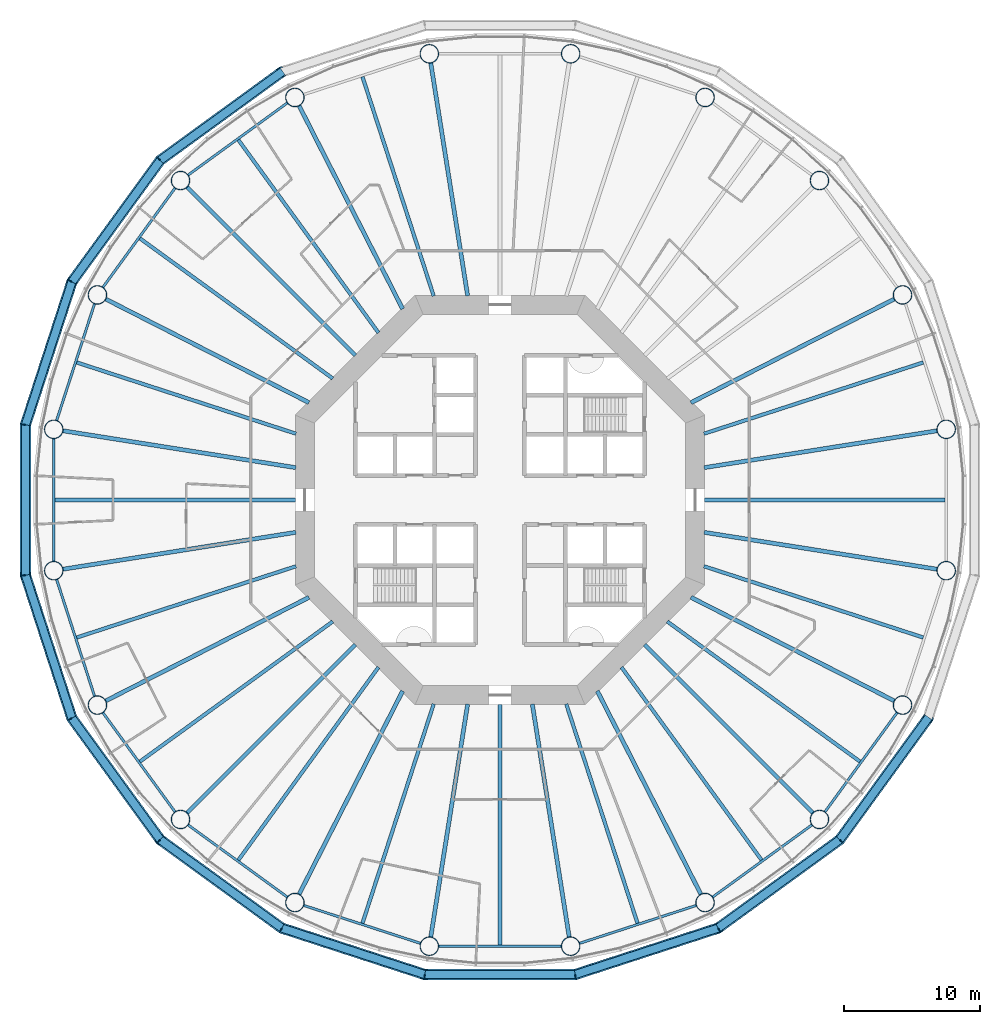
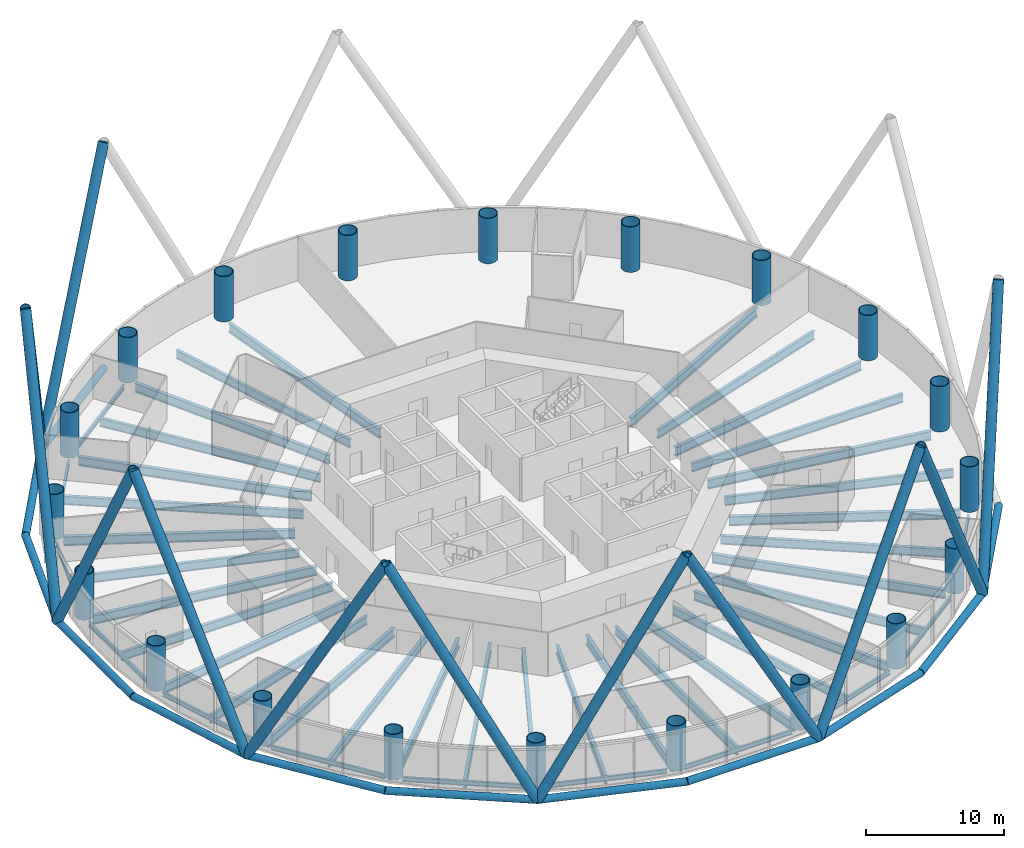
# One storey, part 1 of 13: 45 beams, 24 members, 20 columns.
"""IFC4 building model written with IfcOpenShell, lengths in metres."""

from ifc_helpers import new_model, si_unit, direction, frame, origin, origin_2d, place, context, subcontext, project, spatial, circle, hollow_circle, i_section, extrude, material, material_profile, profile_set, type_object, element, save


model = new_model("IFC4")

# Units and contexts
model_context = context("Model", 3, precision=1e-05, world=origin(), true_north=direction((0.0, 1.0)))
body_context = subcontext(model_context, "Body", "Model", "MODEL_VIEW")
ifc_project = project(units=[si_unit("LENGTHUNIT", "METRE"), si_unit("AREAUNIT", "SQUARE_METRE"), si_unit("VOLUMEUNIT", "CUBIC_METRE"), si_unit("PLANEANGLEUNIT", "RADIAN"), si_unit("MASSUNIT", "GRAM", prefix="KILO")], contexts=[model_context])

# Site, building, storey
site_placement = place(None, origin())
site = spatial("IfcSite", under=ifc_project, at=site_placement, CompositionType="ELEMENT")
building_placement = place(site_placement, origin())
building = spatial("IfcBuilding", under=site, at=building_placement, Name="Entoto Ring Tower", CompositionType="ELEMENT")
storey_placement = place(building_placement, frame((0.0, 0.0, 54.0)))
storey = spatial("IfcBuildingStorey", under=building, at=storey_placement, Name="L11", CompositionType="ELEMENT", Elevation=54.0)

# Columns
ifc_material_1 = material(Name="Steel S355", Category="steel")
ifc_material_profile_1 = material_profile(ifc_material_1, hollow_circle(Radius=0.699951171875, WallThickness=0.06005859375, at=origin_2d()), Name="CHS 1400 x 60")
ifc_material_2 = material(Name="Concrete C60/75", Category="concrete")
ifc_material_profile_2 = material_profile(ifc_material_2, circle(Radius=0.639892578125, at=origin_2d()), Name="Concrete C60/75 infill")
ifc_profile_set_1 = profile_set([ifc_material_profile_1, ifc_material_profile_2], Name="Steel S355")
column_type = type_object("IfcColumnType", Name="Ring column 1400 x 60 concrete-filled tube", PredefinedType="COLUMN", material=ifc_profile_set_1)
for number, where, z_axis, x_axis, name in (
    (1, (122.6923828125, 85.177978515625, 0.0), (0.0, 0.0, 1.0), (1.0, 0.0, 0.0), "RC1 R01"),
    (2, (119.492431640625, 95.027099609375, 0.0), (0.0, 0.0, 1.0), (1.0, 0.0, 0.0), "RC1 R02"),
    (3, (113.4052734375, 103.4052734375, 0.0), (0.0, 0.0, 1.0), (1.0, 0.0, 0.0), "RC1 R03"),
    (4, (105.027099609375, 109.492431640625, 0.0), (0.0, 0.0, 1.0), (1.0, 0.0, 0.0), "RC1 R04"),
    (5, (95.177978515625, 112.6923828125, 0.0), (0.0, 0.0, 1.0), (1.0, 0.0, 0.0), "RC1 R05"),
    (6, (84.822021484375, 112.6923828125, 0.0), (0.0, 0.0, 1.0), (1.0, 0.0, 0.0), "RC1 R06"),
    (7, (74.972900390625, 109.492431640625, 0.0), (0.0, 0.0, 1.0), (1.0, 0.0, 0.0), "RC1 R07"),
    (8, (66.5947265625, 103.4052734375, 0.0), (0.0, 0.0, 1.0), (1.0, 0.0, 0.0), "RC1 R08"),
    (9, (60.507568359375, 95.027099609375, 0.0), (0.0, 0.0, 1.0), (1.0, 0.0, 0.0), "RC1 R09"),
    (10, (57.3076171875, 85.177978515625, 0.0), (0.0, 0.0, 1.0), (1.0, 0.0, 0.0), "RC1 R10"),
    (11, (57.3076171875, 74.822021484375, 0.0), (0.0, 0.0, 1.0), (1.0, 0.0, 0.0), "RC1 R11"),
    (12, (60.507568359375, 64.972900390625, 0.0), (0.0, 0.0, 1.0), (1.0, 0.0, 0.0), "RC1 R12"),
    (13, (66.5947265625, 56.5947265625, 0.0), (0.0, 0.0, 1.0), (1.0, 0.0, 0.0), "RC1 R13"),
    (14, (74.972900390625, 50.507568359375, 0.0), (0.0, 0.0, 1.0), (1.0, 0.0, 0.0), "RC1 R14"),
    (15, (84.822021484375, 47.3076171875, 0.0), (0.0, 0.0, 1.0), (1.0, 0.0, 0.0), "RC1 R15"),
    (16, (95.177978515625, 47.3076171875, 0.0), (0.0, 0.0, 1.0), (1.0, 0.0, 0.0), "RC1 R16"),
    (17, (105.027099609375, 50.507568359375, 0.0), (0.0, 0.0, 1.0), (1.0, 0.0, 0.0), "RC1 R17"),
    (18, (113.4052734375, 56.5947265625, 0.0), (0.0, 0.0, 1.0), (1.0, 0.0, 0.0), "RC1 R18"),
    (19, (119.492431640625, 64.972900390625, 0.0), (0.0, 0.0, 1.0), (1.0, 0.0, 0.0), "RC1 R19"),
    (20, (122.6923828125, 74.822021484375, 0.0), (0.0, 0.0, 1.0), (1.0, 0.0, 0.0), "RC1 R20"),
):
    element("IfcColumn", number, at=place(storey_placement, frame(where, z_axis=z_axis, x_axis=x_axis)), inside=storey, type_object=column_type, Name=name, PredefinedType="COLUMN", context=body_context, shape_type="SweptSolid", body=[
        extrude(hollow_circle(Radius=0.699951171875, WallThickness=0.06005859375, at=origin_2d()), origin(), (0.0, 0.0, 1.0), 4.0),
    ])

# Members
ifc_material_3 = material(Name="Steel S355", Category="steel")
ifc_material_profile_3 = material_profile(ifc_material_3, hollow_circle(Radius=0.39990234375, WallThickness=0.0400390625, at=origin_2d()), Name="CHS 800 x 40")
ifc_material_4 = material(Name="Concrete C60/75", Category="concrete")
ifc_material_profile_4 = material_profile(ifc_material_4, circle(Radius=0.360107421875, at=origin_2d()), Name="Concrete C60/75 infill")
ifc_profile_set_2 = profile_set([ifc_material_profile_3, ifc_material_profile_4], Name="Steel S355")
member_type_1 = type_object("IfcMemberType", Name="Diagrid diagonal 800 x 40 concrete-filled tube", PredefinedType="BRACE", material=ifc_profile_set_2)
for number, where, z_axis, x_axis, name in (
    (21, (65.10986328125, 104.89013671875, 0.0), (0.390232194068, 0.283526240634, 0.875974717435), (-0.587793333731, 0.809011122805, 0.0), "DG1 module 4 07"),
    (22, (65.10986328125, 104.89013671875, 0.0), (-0.283526240634, -0.390232194068, 0.875974717435), (0.809011122805, -0.587793333731, 0.0), "DG1 module 4 08"),
):
    element("IfcMember", number, at=place(storey_placement, frame(where, z_axis=z_axis, x_axis=x_axis)), inside=storey, type_object=member_type_1, Name=name, PredefinedType="BRACE", context=body_context, shape_type="SweptSolid", body=[
        extrude(hollow_circle(Radius=0.39990234375, WallThickness=0.0400390625, at=origin_2d()), origin(), (0.0, 0.0, 1.0), 22.831787109375),
    ])
member_1_placement = place(storey_placement, frame((55.2333984375, 85.506591796875, 0.0), z_axis=(0.149050994589, 0.458744294344, 0.875978009666), x_axis=(-0.951058991317, 0.309009376937, 0.0)))
element("IfcMember", 23, at=member_1_placement, inside=storey, type_object=member_type_1, Name="DG1 module 4 09", PredefinedType="BRACE", context=body_context, shape_type="SweptSolid", body=[
    extrude(hollow_circle(Radius=0.39990234375, WallThickness=0.0400390625, at=origin_2d()), origin(), (0.0, 0.0, 1.0), 22.83154296875),
])
member_2_placement = place(storey_placement, frame((55.2333984375, 85.506591796875, 0.0), z_axis=(0.0, -0.482362007039, 0.875971971107), x_axis=(1.0, 0.0, 0.0)))
element("IfcMember", 24, at=member_2_placement, inside=storey, type_object=member_type_1, Name="DG1 module 4 10", PredefinedType="BRACE", context=body_context, shape_type="SweptSolid", body=[
    extrude(hollow_circle(Radius=0.39990234375, WallThickness=0.0400390625, at=origin_2d()), origin(), (0.0, 0.0, 1.0), 22.831787109375),
])
member_3_placement = place(storey_placement, frame((58.636474609375, 64.01953125, 0.0), z_axis=(-0.149050994589, 0.458744294344, 0.875978009666), x_axis=(-0.951058991317, -0.309009376937, 0.0)))
element("IfcMember", 25, at=member_3_placement, inside=storey, type_object=member_type_1, Name="DG1 module 4 11", PredefinedType="BRACE", context=body_context, shape_type="SweptSolid", body=[
    extrude(hollow_circle(Radius=0.39990234375, WallThickness=0.0400390625, at=origin_2d()), origin(), (0.0, 0.0, 1.0), 22.83154296875),
])
for number, where, z_axis, x_axis, name in (
    (26, (58.636474609375, 64.01953125, 0.0), (0.283526240634, -0.390232194068, 0.875974717435), (0.809011122805, 0.587793333731, 0.0), "DG1 module 4 12"),
    (27, (74.01953125, 48.636474609375, 0.0), (-0.390232194068, 0.283526240634, 0.875974717435), (-0.587793333731, -0.809011122805, 0.0), "DG1 module 4 13"),
):
    element("IfcMember", number, at=place(storey_placement, frame(where, z_axis=z_axis, x_axis=x_axis)), inside=storey, type_object=member_type_1, Name=name, PredefinedType="BRACE", context=body_context, shape_type="SweptSolid", body=[
        extrude(hollow_circle(Radius=0.39990234375, WallThickness=0.0400390625, at=origin_2d()), origin(), (0.0, 0.0, 1.0), 22.831787109375),
    ])
member_4_placement = place(storey_placement, frame((74.01953125, 48.636474609375, 0.0), z_axis=(0.458744294344, -0.149050994589, 0.875978009666), x_axis=(0.309009376937, 0.951058991317, 0.0)))
element("IfcMember", 28, at=member_4_placement, inside=storey, type_object=member_type_1, Name="DG1 module 4 14", PredefinedType="BRACE", context=body_context, shape_type="SweptSolid", body=[
    extrude(hollow_circle(Radius=0.39990234375, WallThickness=0.0400390625, at=origin_2d()), origin(), (0.0, 0.0, 1.0), 22.83154296875),
])
member_5_placement = place(storey_placement, frame((95.506591796875, 45.2333984375, 0.0), z_axis=(-0.482362007039, 0.0, 0.875971971107), x_axis=(0.0, -1.0, 0.0)))
element("IfcMember", 29, at=member_5_placement, inside=storey, type_object=member_type_1, Name="DG1 module 4 15", PredefinedType="BRACE", context=body_context, shape_type="SweptSolid", body=[
    extrude(hollow_circle(Radius=0.39990234375, WallThickness=0.0400390625, at=origin_2d()), origin(), (0.0, 0.0, 1.0), 22.831787109375),
])
member_6_placement = place(storey_placement, frame((95.506591796875, 45.2333984375, 0.0), z_axis=(0.458744294344, 0.149050994589, 0.875978009666), x_axis=(-0.309009376937, 0.951058991317, 0.0)))
element("IfcMember", 30, at=member_6_placement, inside=storey, type_object=member_type_1, Name="DG1 module 4 16", PredefinedType="BRACE", context=body_context, shape_type="SweptSolid", body=[
    extrude(hollow_circle(Radius=0.39990234375, WallThickness=0.0400390625, at=origin_2d()), origin(), (0.0, 0.0, 1.0), 22.83154296875),
])
for number, where, z_axis, x_axis, name in (
    (31, (114.89013671875, 55.10986328125, 0.0), (-0.390232194068, -0.283526240634, 0.875974717435), (0.587793333731, -0.809011122805, 0.0), "DG1 module 4 17"),
    (32, (114.89013671875, 55.10986328125, 0.0), (0.283526240634, 0.390232194068, 0.875974717435), (-0.809011122805, 0.587793333731, 0.0), "DG1 module 4 18"),
):
    element("IfcMember", number, at=place(storey_placement, frame(where, z_axis=z_axis, x_axis=x_axis)), inside=storey, type_object=member_type_1, Name=name, PredefinedType="BRACE", context=body_context, shape_type="SweptSolid", body=[
        extrude(hollow_circle(Radius=0.39990234375, WallThickness=0.0400390625, at=origin_2d()), origin(), (0.0, 0.0, 1.0), 22.831787109375),
    ])
ifc_material_5 = material(Name="Steel S355", Category="steel")
ifc_material_profile_5 = material_profile(ifc_material_5, hollow_circle(Radius=0.300048828125, WallThickness=0.030029296875, at=origin_2d()), Name="CHS 600 x 30")
ifc_material_6 = material(Name="Concrete C60/75", Category="concrete")
ifc_material_profile_6 = material_profile(ifc_material_6, circle(Radius=0.27001953125, at=origin_2d()), Name="Concrete C60/75 infill")
ifc_profile_set_3 = profile_set([ifc_material_profile_5, ifc_material_profile_6], Name="Steel S355")
member_type_2 = type_object("IfcMemberType", Name="Diagrid ring beam 600 x 30", PredefinedType="CHORD", material=ifc_profile_set_3)
for number, where, z_axis, x_axis, name in (
    (33, (74.07421875, 111.403076171875, 0.0), (-0.809026721692, -0.587771863556, 0.0), (0.587771863556, -0.809026721692, 0.0), "DR1 ring 3 06"),
    (34, (65.1494140625, 104.94482421875, 0.0), (-0.587771863556, -0.809026721692, 0.0), (0.809026721692, -0.587771863556, 0.0), "DR1 ring 3 07"),
    (35, (58.657470703125, 96.044677734375, 0.0), (-0.309031105137, -0.951051931315, 0.0), (0.951051931315, -0.309031105137, 0.0), "DR1 ring 3 08"),
    (36, (55.2333984375, 85.573974609375, 0.0), (0.0, -1.0, 0.0), (1.0, 0.0, 0.0), "DR1 ring 3 09"),
    (37, (55.21240234375, 74.5576171875, 0.0), (0.309031105137, -0.951051931315, 0.0), (0.951051931315, 0.309031105137, 0.0), "DR1 ring 3 10"),
    (38, (58.596923828125, 64.07421875, 0.0), (0.587771863556, -0.809026721692, 0.0), (0.809026721692, 0.587771863556, 0.0), "DR1 ring 3 11"),
    (39, (65.05517578125, 55.1494140625, 0.0), (0.809026721692, -0.587771863556, 0.0), (0.587771863556, 0.809026721692, 0.0), "DR1 ring 3 12"),
    (40, (73.955322265625, 48.657470703125, 0.0), (0.951051931315, -0.309031105137, 0.0), (0.309031105137, 0.951051931315, 0.0), "DR1 ring 3 13"),
    (41, (84.426025390625, 45.2333984375, 0.0), (1.0, 0.0, 0.0), (0.0, 1.0, 0.0), "DR1 ring 3 14"),
    (42, (95.4423828125, 45.21240234375, 0.0), (0.951051931315, 0.309031105137, 0.0), (-0.309031105137, 0.951051931315, 0.0), "DR1 ring 3 15"),
    (43, (105.92578125, 48.596923828125, 0.0), (0.809026721692, 0.587771863556, 0.0), (-0.587771863556, 0.809026721692, 0.0), "DR1 ring 3 16"),
    (44, (114.8505859375, 55.05517578125, 0.0), (0.587771863556, 0.809026721692, 0.0), (-0.809026721692, 0.587771863556, 0.0), "DR1 ring 3 17"),
):
    element("IfcMember", number, at=place(storey_placement, frame(where, z_axis=z_axis, x_axis=x_axis)), inside=storey, type_object=member_type_2, Name=name, PredefinedType="CHORD", context=body_context, shape_type="SweptSolid", body=[
        extrude(hollow_circle(Radius=0.300048828125, WallThickness=0.030029296875, at=origin_2d()), origin(), (0.0, 0.0, 1.0), 11.14794921875),
    ])

# Beams
ifc_material_7 = material(Name="Steel S355", Category="steel")
ifc_material_profile_7 = material_profile(ifc_material_7, i_section(OverallWidth=0.179931640625, OverallDepth=0.39990234375, WebThickness=0.008544921875, FlangeThickness=0.013427734375, FilletRadius=0.02099609375, at=origin_2d()), Name="IPE 400")
ifc_profile_set_4 = profile_set([ifc_material_profile_7], Name="Steel S355")
beam_type_1 = type_object("IfcBeamType", Name="Edge beam IPE 400", PredefinedType="SPANDREL", material=ifc_profile_set_4)
for number, where, z_axis, x_axis, name in (
    (45, (74.427490234375, 109.09619140625, -0.35009765625), (-0.80901142547, -0.587792917156, 0.0), (0.587792917156, -0.80901142547, 0.0), "Edge beam L11 07"),
    (46, (66.198486328125, 102.85986328125, -0.35009765625), (-0.587792917156, -0.80901142547, 0.0), (0.80901142547, -0.587792917156, 0.0), "Edge beam L11 08"),
    (47, (60.29931640625, 94.385986328125, -0.35009765625), (-0.309006400295, -0.951059958455, 0.0), (0.951059958455, -0.309006400295, 0.0), "Edge beam L11 09"),
    (48, (57.3076171875, 84.50390625, -0.35009765625), (0.0, -1.0, 0.0), (1.0, 0.0, 0.0), "Edge beam L11 10"),
    (49, (57.515869140625, 74.180908203125, -0.35009765625), (0.309006400295, -0.951059958455, 0.0), (0.951059958455, 0.309006400295, 0.0), "Edge beam L11 11"),
    (50, (60.90380859375, 64.427490234375, -0.35009765625), (0.587792917156, -0.80901142547, 0.0), (0.80901142547, 0.587792917156, 0.0), "Edge beam L11 12"),
    (51, (67.14013671875, 56.198486328125, -0.35009765625), (0.80901142547, -0.587792917156, 0.0), (0.587792917156, 0.80901142547, 0.0), "Edge beam L11 13"),
    (52, (75.614013671875, 50.29931640625, -0.35009765625), (0.951059958455, -0.309006400295, 0.0), (0.309006400295, 0.951059958455, 0.0), "Edge beam L11 14"),
    (53, (85.49609375, 47.3076171875, -0.35009765625), (1.0, 0.0, 0.0), (0.0, 1.0, 0.0), "Edge beam L11 15"),
    (54, (95.819091796875, 47.515869140625, -0.35009765625), (0.951059958455, 0.309006400295, 0.0), (-0.309006400295, 0.951059958455, 0.0), "Edge beam L11 16"),
    (55, (105.572509765625, 50.90380859375, -0.35009765625), (0.80901142547, 0.587792917156, 0.0), (-0.587792917156, 0.80901142547, 0.0), "Edge beam L11 17"),
    (56, (113.801513671875, 57.14013671875, -0.35009765625), (0.587792917156, 0.80901142547, 0.0), (-0.80901142547, 0.587792917156, 0.0), "Edge beam L11 18"),
):
    element("IfcBeam", number, at=place(storey_placement, frame(where, z_axis=z_axis, x_axis=x_axis)), inside=storey, type_object=beam_type_1, Name=name, PredefinedType="SPANDREL", context=body_context, shape_type="SweptSolid", body=[
        extrude(i_section(OverallWidth=0.179931640625, OverallDepth=0.39990234375, WebThickness=0.008544921875, FlangeThickness=0.013427734375, FilletRadius=0.02099609375, at=origin_2d()), origin(), (0.0, 0.0, 1.0), 9.0078125),
    ])
ifc_material_8 = material(Name="Steel S355", Category="steel")
ifc_material_profile_8 = material_profile(ifc_material_8, i_section(OverallWidth=0.300048828125, OverallDepth=0.800048828125, WebThickness=0.017578125, FlangeThickness=0.032958984375, FilletRadius=0.030029296875, at=origin_2d()), Name="HE 800 B")
ifc_profile_set_5 = profile_set([ifc_material_profile_8], Name="Steel S355")
beam_type_2 = type_object("IfcBeamType", Name="Primary floor beam HE 800 B", PredefinedType="BEAM", material=ifc_profile_set_5)
beam_1_placement = place(storey_placement, frame((104.956787109375, 82.368896484375, -0.550048828125), z_axis=(0.98768775999, 0.156438130794, 0.0), x_axis=(-0.156438130794, 0.98768775999, 0.0)))
element("IfcBeam", 57, at=beam_1_placement, inside=storey, type_object=beam_type_2, Name="Primary L11 R01", PredefinedType="BEAM", context=body_context, shape_type="SweptSolid", body=[
    extrude(i_section(OverallWidth=0.300048828125, OverallDepth=0.800048828125, WebThickness=0.017578125, FlangeThickness=0.032958984375, FilletRadius=0.030029296875, at=origin_2d()), origin(), (0.0, 0.0, 1.0), 17.293212890625),
])
beam_2_placement = place(storey_placement, frame((103.99169921875, 87.129150390625, -0.550048828125), z_axis=(0.891007761657, 0.453988071063, 0.0), x_axis=(-0.453988071063, 0.891007761657, 0.0)))
element("IfcBeam", 58, at=beam_2_placement, inside=storey, type_object=beam_type_2, Name="Primary L11 R02", PredefinedType="BEAM", context=body_context, shape_type="SweptSolid", body=[
    extrude(i_section(OverallWidth=0.300048828125, OverallDepth=0.800048828125, WebThickness=0.017578125, FlangeThickness=0.032958984375, FilletRadius=0.030029296875, at=origin_2d()), origin(), (0.0, 0.0, 1.0), 16.733154296875),
])
beam_3_placement = place(storey_placement, frame((87.631103515625, 94.956787109375, -0.550048828125), z_axis=(-0.156438130794, 0.98768775999, 0.0), x_axis=(-0.98768775999, -0.156438130794, 0.0)))
element("IfcBeam", 59, at=beam_3_placement, inside=storey, type_object=beam_type_2, Name="Primary L11 R06", PredefinedType="BEAM", context=body_context, shape_type="SweptSolid", body=[
    extrude(i_section(OverallWidth=0.300048828125, OverallDepth=0.800048828125, WebThickness=0.017578125, FlangeThickness=0.032958984375, FilletRadius=0.030029296875, at=origin_2d()), origin(), (0.0, 0.0, 1.0), 17.293212890625),
])
beam_4_placement = place(storey_placement, frame((82.870849609375, 93.99169921875, -0.550048828125), z_axis=(-0.453988071063, 0.891007761657, 0.0), x_axis=(-0.891007761657, -0.453988071063, 0.0)))
element("IfcBeam", 60, at=beam_4_placement, inside=storey, type_object=beam_type_2, Name="Primary L11 R07", PredefinedType="BEAM", context=body_context, shape_type="SweptSolid", body=[
    extrude(i_section(OverallWidth=0.300048828125, OverallDepth=0.800048828125, WebThickness=0.017578125, FlangeThickness=0.032958984375, FilletRadius=0.030029296875, at=origin_2d()), origin(), (0.0, 0.0, 1.0), 16.733154296875),
])
beam_5_placement = place(storey_placement, frame((79.407470703125, 90.592529296875, -0.550048828125), z_axis=(-0.707106781187, 0.707106781187, 0.0), x_axis=(-0.707106781187, -0.707106781187, 0.0)))
element("IfcBeam", 61, at=beam_5_placement, inside=storey, type_object=beam_type_2, Name="Primary L11 R08", PredefinedType="BEAM", context=body_context, shape_type="SweptSolid", body=[
    extrude(i_section(OverallWidth=0.300048828125, OverallDepth=0.800048828125, WebThickness=0.017578125, FlangeThickness=0.032958984375, FilletRadius=0.030029296875, at=origin_2d()), origin(), (0.0, 0.0, 1.0), 17.456298828125),
])
beam_6_placement = place(storey_placement, frame((76.00830078125, 87.129150390625, -0.550048828125), z_axis=(-0.891007761657, 0.453988071063, 0.0), x_axis=(-0.453988071063, -0.891007761657, 0.0)))
element("IfcBeam", 62, at=beam_6_placement, inside=storey, type_object=beam_type_2, Name="Primary L11 R09", PredefinedType="BEAM", context=body_context, shape_type="SweptSolid", body=[
    extrude(i_section(OverallWidth=0.300048828125, OverallDepth=0.800048828125, WebThickness=0.017578125, FlangeThickness=0.032958984375, FilletRadius=0.030029296875, at=origin_2d()), origin(), (0.0, 0.0, 1.0), 16.733154296875),
])
for number, where, z_axis, x_axis, name in (
    (63, (75.043212890625, 82.368896484375, -0.550048828125), (-0.98768775999, 0.156438130794, 0.0), (-0.156438130794, -0.98768775999, 0.0), "Primary L11 R10"),
    (64, (75.043212890625, 77.631103515625, -0.550048828125), (-0.98768775999, -0.156438130794, 0.0), (0.156438130794, -0.98768775999, 0.0), "Primary L11 R11"),
):
    element("IfcBeam", number, at=place(storey_placement, frame(where, z_axis=z_axis, x_axis=x_axis)), inside=storey, type_object=beam_type_2, Name=name, PredefinedType="BEAM", context=body_context, shape_type="SweptSolid", body=[
        extrude(i_section(OverallWidth=0.300048828125, OverallDepth=0.800048828125, WebThickness=0.017578125, FlangeThickness=0.032958984375, FilletRadius=0.030029296875, at=origin_2d()), origin(), (0.0, 0.0, 1.0), 17.293212890625),
    ])
beam_7_placement = place(storey_placement, frame((76.00830078125, 72.870849609375, -0.550048828125), z_axis=(-0.891007761657, -0.453988071063, 0.0), x_axis=(0.453988071063, -0.891007761657, 0.0)))
element("IfcBeam", 65, at=beam_7_placement, inside=storey, type_object=beam_type_2, Name="Primary L11 R12", PredefinedType="BEAM", context=body_context, shape_type="SweptSolid", body=[
    extrude(i_section(OverallWidth=0.300048828125, OverallDepth=0.800048828125, WebThickness=0.017578125, FlangeThickness=0.032958984375, FilletRadius=0.030029296875, at=origin_2d()), origin(), (0.0, 0.0, 1.0), 16.733154296875),
])
beam_8_placement = place(storey_placement, frame((79.407470703125, 69.407470703125, -0.550048828125), z_axis=(-0.707106781187, -0.707106781187, 0.0), x_axis=(0.707106781187, -0.707106781187, 0.0)))
element("IfcBeam", 66, at=beam_8_placement, inside=storey, type_object=beam_type_2, Name="Primary L11 R13", PredefinedType="BEAM", context=body_context, shape_type="SweptSolid", body=[
    extrude(i_section(OverallWidth=0.300048828125, OverallDepth=0.800048828125, WebThickness=0.017578125, FlangeThickness=0.032958984375, FilletRadius=0.030029296875, at=origin_2d()), origin(), (0.0, 0.0, 1.0), 17.456298828125),
])
beam_9_placement = place(storey_placement, frame((82.870849609375, 66.00830078125, -0.550048828125), z_axis=(-0.453988071063, -0.891007761657, 0.0), x_axis=(0.891007761657, -0.453988071063, 0.0)))
element("IfcBeam", 67, at=beam_9_placement, inside=storey, type_object=beam_type_2, Name="Primary L11 R14", PredefinedType="BEAM", context=body_context, shape_type="SweptSolid", body=[
    extrude(i_section(OverallWidth=0.300048828125, OverallDepth=0.800048828125, WebThickness=0.017578125, FlangeThickness=0.032958984375, FilletRadius=0.030029296875, at=origin_2d()), origin(), (0.0, 0.0, 1.0), 16.733154296875),
])
for number, where, z_axis, x_axis, name in (
    (68, (87.631103515625, 65.043212890625, -0.550048828125), (-0.156438130794, -0.98768775999, 0.0), (0.98768775999, -0.156438130794, 0.0), "Primary L11 R15"),
    (69, (92.368896484375, 65.043212890625, -0.550048828125), (0.156438130794, -0.98768775999, 0.0), (0.98768775999, 0.156438130794, 0.0), "Primary L11 R16"),
):
    element("IfcBeam", number, at=place(storey_placement, frame(where, z_axis=z_axis, x_axis=x_axis)), inside=storey, type_object=beam_type_2, Name=name, PredefinedType="BEAM", context=body_context, shape_type="SweptSolid", body=[
        extrude(i_section(OverallWidth=0.300048828125, OverallDepth=0.800048828125, WebThickness=0.017578125, FlangeThickness=0.032958984375, FilletRadius=0.030029296875, at=origin_2d()), origin(), (0.0, 0.0, 1.0), 17.293212890625),
    ])
beam_10_placement = place(storey_placement, frame((97.129150390625, 66.00830078125, -0.550048828125), z_axis=(0.453988071063, -0.891007761657, 0.0), x_axis=(0.891007761657, 0.453988071063, 0.0)))
element("IfcBeam", 70, at=beam_10_placement, inside=storey, type_object=beam_type_2, Name="Primary L11 R17", PredefinedType="BEAM", context=body_context, shape_type="SweptSolid", body=[
    extrude(i_section(OverallWidth=0.300048828125, OverallDepth=0.800048828125, WebThickness=0.017578125, FlangeThickness=0.032958984375, FilletRadius=0.030029296875, at=origin_2d()), origin(), (0.0, 0.0, 1.0), 16.733154296875),
])
beam_11_placement = place(storey_placement, frame((100.592529296875, 69.407470703125, -0.550048828125), z_axis=(0.707106781187, -0.707106781187, 0.0), x_axis=(0.707106781187, 0.707106781187, 0.0)))
element("IfcBeam", 71, at=beam_11_placement, inside=storey, type_object=beam_type_2, Name="Primary L11 R18", PredefinedType="BEAM", context=body_context, shape_type="SweptSolid", body=[
    extrude(i_section(OverallWidth=0.300048828125, OverallDepth=0.800048828125, WebThickness=0.017578125, FlangeThickness=0.032958984375, FilletRadius=0.030029296875, at=origin_2d()), origin(), (0.0, 0.0, 1.0), 17.456298828125),
])
beam_12_placement = place(storey_placement, frame((103.99169921875, 72.870849609375, -0.550048828125), z_axis=(0.891007761657, -0.453988071063, 0.0), x_axis=(0.453988071063, 0.891007761657, 0.0)))
element("IfcBeam", 72, at=beam_12_placement, inside=storey, type_object=beam_type_2, Name="Primary L11 R19", PredefinedType="BEAM", context=body_context, shape_type="SweptSolid", body=[
    extrude(i_section(OverallWidth=0.300048828125, OverallDepth=0.800048828125, WebThickness=0.017578125, FlangeThickness=0.032958984375, FilletRadius=0.030029296875, at=origin_2d()), origin(), (0.0, 0.0, 1.0), 16.733154296875),
])
beam_13_placement = place(storey_placement, frame((104.956787109375, 77.631103515625, -0.550048828125), z_axis=(0.98768775999, -0.156438130794, 0.0), x_axis=(0.156438130794, 0.98768775999, 0.0)))
element("IfcBeam", 73, at=beam_13_placement, inside=storey, type_object=beam_type_2, Name="Primary L11 R20", PredefinedType="BEAM", context=body_context, shape_type="SweptSolid", body=[
    extrude(i_section(OverallWidth=0.300048828125, OverallDepth=0.800048828125, WebThickness=0.017578125, FlangeThickness=0.032958984375, FilletRadius=0.030029296875, at=origin_2d()), origin(), (0.0, 0.0, 1.0), 17.293212890625),
])
ifc_material_9 = material(Name="Steel S355", Category="steel")
ifc_material_profile_9 = material_profile(ifc_material_9, i_section(OverallWidth=0.262939453125, OverallDepth=0.7529296875, WebThickness=0.011474609375, FlangeThickness=0.01708984375, FilletRadius=0.01708984375, at=origin_2d()), Name="IPE 750 x 137")
ifc_profile_set_6 = profile_set([ifc_material_profile_9], Name="Steel S355")
beam_type_3 = type_object("IfcBeamType", Name="Secondary floor beam IPE 750 x 137", PredefinedType="JOIST", material=ifc_profile_set_6)
for number, where, z_axis, x_axis, name in (
    (74, (104.9404296875, 84.8544921875, -0.526611328125), (0.951057855768, 0.30901287187, 0.0), (-0.30901287187, 0.951057855768, 0.0), "Secondary beam L11 01"),
    (75, (85.1455078125, 94.9404296875, -0.526611328125), (-0.30901287187, 0.951057855768, 0.0), (-0.951057855768, -0.30901287187, 0.0), "Secondary beam L11 06"),
):
    element("IfcBeam", number, at=place(storey_placement, frame(where, z_axis=z_axis, x_axis=x_axis)), inside=storey, type_object=beam_type_3, Name=name, PredefinedType="JOIST", context=body_context, shape_type="SweptSolid", body=[
        extrude(i_section(OverallWidth=0.262939453125, OverallDepth=0.7529296875, WebThickness=0.011474609375, FlangeThickness=0.01708984375, FilletRadius=0.01708984375, at=origin_2d()), origin(), (0.0, 0.0, 1.0), 16.893310546875),
    ])
for number, where, z_axis, x_axis, name in (
    (76, (81.097412109375, 92.25341796875, -0.526611328125), (-0.58778910532, 0.809014194973, 0.0), (-0.809014194973, -0.58778910532, 0.0), "Secondary beam L11 07"),
    (77, (77.74658203125, 88.902587890625, -0.526611328125), (-0.809014194973, 0.58778910532, 0.0), (-0.58778910532, -0.809014194973, 0.0), "Secondary beam L11 08"),
):
    element("IfcBeam", number, at=place(storey_placement, frame(where, z_axis=z_axis, x_axis=x_axis)), inside=storey, type_object=beam_type_3, Name=name, PredefinedType="JOIST", context=body_context, shape_type="SweptSolid", body=[
        extrude(i_section(OverallWidth=0.262939453125, OverallDepth=0.7529296875, WebThickness=0.011474609375, FlangeThickness=0.01708984375, FilletRadius=0.01708984375, at=origin_2d()), origin(), (0.0, 0.0, 1.0), 17.45654296875),
    ])
beam_14_placement = place(storey_placement, frame((75.0595703125, 84.8544921875, -0.526611328125), z_axis=(-0.951057855768, 0.30901287187, 0.0), x_axis=(-0.30901287187, -0.951057855768, 0.0)))
element("IfcBeam", 78, at=beam_14_placement, inside=storey, type_object=beam_type_3, Name="Secondary beam L11 09", PredefinedType="JOIST", context=body_context, shape_type="SweptSolid", body=[
    extrude(i_section(OverallWidth=0.262939453125, OverallDepth=0.7529296875, WebThickness=0.011474609375, FlangeThickness=0.01708984375, FilletRadius=0.01708984375, at=origin_2d()), origin(), (0.0, 0.0, 1.0), 16.893310546875),
])
beam_15_placement = place(storey_placement, frame((75.02001953125, 80.0, -0.526611328125), z_axis=(-1.0, 0.0, 0.0), x_axis=(0.0, -1.0, 0.0)))
element("IfcBeam", 79, at=beam_15_placement, inside=storey, type_object=beam_type_3, Name="Secondary beam L11 10", PredefinedType="JOIST", context=body_context, shape_type="SweptSolid", body=[
    extrude(i_section(OverallWidth=0.262939453125, OverallDepth=0.7529296875, WebThickness=0.011474609375, FlangeThickness=0.01708984375, FilletRadius=0.01708984375, at=origin_2d()), origin(), (0.0, 0.0, 1.0), 17.62255859375),
])
beam_16_placement = place(storey_placement, frame((75.0595703125, 75.1455078125, -0.526611328125), z_axis=(-0.951057855768, -0.30901287187, 0.0), x_axis=(0.30901287187, -0.951057855768, 0.0)))
element("IfcBeam", 80, at=beam_16_placement, inside=storey, type_object=beam_type_3, Name="Secondary beam L11 11", PredefinedType="JOIST", context=body_context, shape_type="SweptSolid", body=[
    extrude(i_section(OverallWidth=0.262939453125, OverallDepth=0.7529296875, WebThickness=0.011474609375, FlangeThickness=0.01708984375, FilletRadius=0.01708984375, at=origin_2d()), origin(), (0.0, 0.0, 1.0), 16.893310546875),
])
for number, where, z_axis, x_axis, name in (
    (81, (77.74658203125, 71.097412109375, -0.526611328125), (-0.809014194973, -0.58778910532, 0.0), (0.58778910532, -0.809014194973, 0.0), "Secondary beam L11 12"),
    (82, (81.097412109375, 67.74658203125, -0.526611328125), (-0.58778910532, -0.809014194973, 0.0), (0.809014194973, -0.58778910532, 0.0), "Secondary beam L11 13"),
):
    element("IfcBeam", number, at=place(storey_placement, frame(where, z_axis=z_axis, x_axis=x_axis)), inside=storey, type_object=beam_type_3, Name=name, PredefinedType="JOIST", context=body_context, shape_type="SweptSolid", body=[
        extrude(i_section(OverallWidth=0.262939453125, OverallDepth=0.7529296875, WebThickness=0.011474609375, FlangeThickness=0.01708984375, FilletRadius=0.01708984375, at=origin_2d()), origin(), (0.0, 0.0, 1.0), 17.45654296875),
    ])
beam_17_placement = place(storey_placement, frame((85.1455078125, 65.0595703125, -0.526611328125), z_axis=(-0.30901287187, -0.951057855768, 0.0), x_axis=(0.951057855768, -0.30901287187, 0.0)))
element("IfcBeam", 83, at=beam_17_placement, inside=storey, type_object=beam_type_3, Name="Secondary beam L11 14", PredefinedType="JOIST", context=body_context, shape_type="SweptSolid", body=[
    extrude(i_section(OverallWidth=0.262939453125, OverallDepth=0.7529296875, WebThickness=0.011474609375, FlangeThickness=0.01708984375, FilletRadius=0.01708984375, at=origin_2d()), origin(), (0.0, 0.0, 1.0), 16.893310546875),
])
beam_18_placement = place(storey_placement, frame((90.0, 65.02001953125, -0.526611328125), z_axis=(0.0, -1.0, 0.0), x_axis=(1.0, 0.0, 0.0)))
element("IfcBeam", 84, at=beam_18_placement, inside=storey, type_object=beam_type_3, Name="Secondary beam L11 15", PredefinedType="JOIST", context=body_context, shape_type="SweptSolid", body=[
    extrude(i_section(OverallWidth=0.262939453125, OverallDepth=0.7529296875, WebThickness=0.011474609375, FlangeThickness=0.01708984375, FilletRadius=0.01708984375, at=origin_2d()), origin(), (0.0, 0.0, 1.0), 17.62255859375),
])
beam_19_placement = place(storey_placement, frame((94.8544921875, 65.0595703125, -0.526611328125), z_axis=(0.30901287187, -0.951057855768, 0.0), x_axis=(0.951057855768, 0.30901287187, 0.0)))
element("IfcBeam", 85, at=beam_19_placement, inside=storey, type_object=beam_type_3, Name="Secondary beam L11 16", PredefinedType="JOIST", context=body_context, shape_type="SweptSolid", body=[
    extrude(i_section(OverallWidth=0.262939453125, OverallDepth=0.7529296875, WebThickness=0.011474609375, FlangeThickness=0.01708984375, FilletRadius=0.01708984375, at=origin_2d()), origin(), (0.0, 0.0, 1.0), 16.893310546875),
])
for number, where, z_axis, x_axis, name in (
    (86, (98.902587890625, 67.74658203125, -0.526611328125), (0.58778910532, -0.809014194973, 0.0), (0.809014194973, 0.58778910532, 0.0), "Secondary beam L11 17"),
    (87, (102.25341796875, 71.097412109375, -0.526611328125), (0.809014194973, -0.58778910532, 0.0), (0.58778910532, 0.809014194973, 0.0), "Secondary beam L11 18"),
):
    element("IfcBeam", number, at=place(storey_placement, frame(where, z_axis=z_axis, x_axis=x_axis)), inside=storey, type_object=beam_type_3, Name=name, PredefinedType="JOIST", context=body_context, shape_type="SweptSolid", body=[
        extrude(i_section(OverallWidth=0.262939453125, OverallDepth=0.7529296875, WebThickness=0.011474609375, FlangeThickness=0.01708984375, FilletRadius=0.01708984375, at=origin_2d()), origin(), (0.0, 0.0, 1.0), 17.45654296875),
    ])
beam_20_placement = place(storey_placement, frame((104.9404296875, 75.1455078125, -0.526611328125), z_axis=(0.951057855768, -0.30901287187, 0.0), x_axis=(0.30901287187, 0.951057855768, 0.0)))
element("IfcBeam", 88, at=beam_20_placement, inside=storey, type_object=beam_type_3, Name="Secondary beam L11 19", PredefinedType="JOIST", context=body_context, shape_type="SweptSolid", body=[
    extrude(i_section(OverallWidth=0.262939453125, OverallDepth=0.7529296875, WebThickness=0.011474609375, FlangeThickness=0.01708984375, FilletRadius=0.01708984375, at=origin_2d()), origin(), (0.0, 0.0, 1.0), 16.893310546875),
])
beam_21_placement = place(storey_placement, frame((104.97998046875, 80.0, -0.526611328125), z_axis=(1.0, 0.0, 0.0), x_axis=(0.0, 1.0, 0.0)))
element("IfcBeam", 89, at=beam_21_placement, inside=storey, type_object=beam_type_3, Name="Secondary beam L11 20", PredefinedType="JOIST", context=body_context, shape_type="SweptSolid", body=[
    extrude(i_section(OverallWidth=0.262939453125, OverallDepth=0.7529296875, WebThickness=0.011474609375, FlangeThickness=0.01708984375, FilletRadius=0.01708984375, at=origin_2d()), origin(), (0.0, 0.0, 1.0), 17.62255859375),
])

save(model, "model.ifc")
